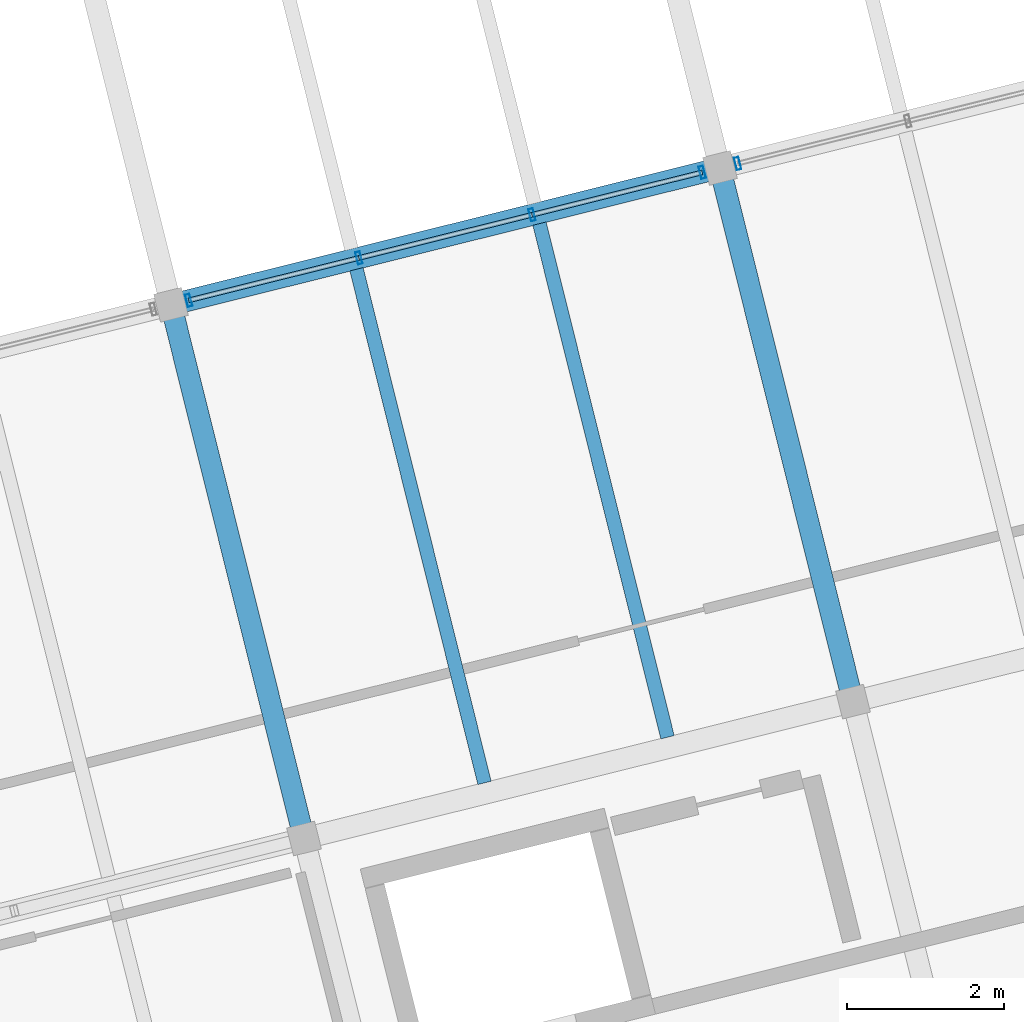
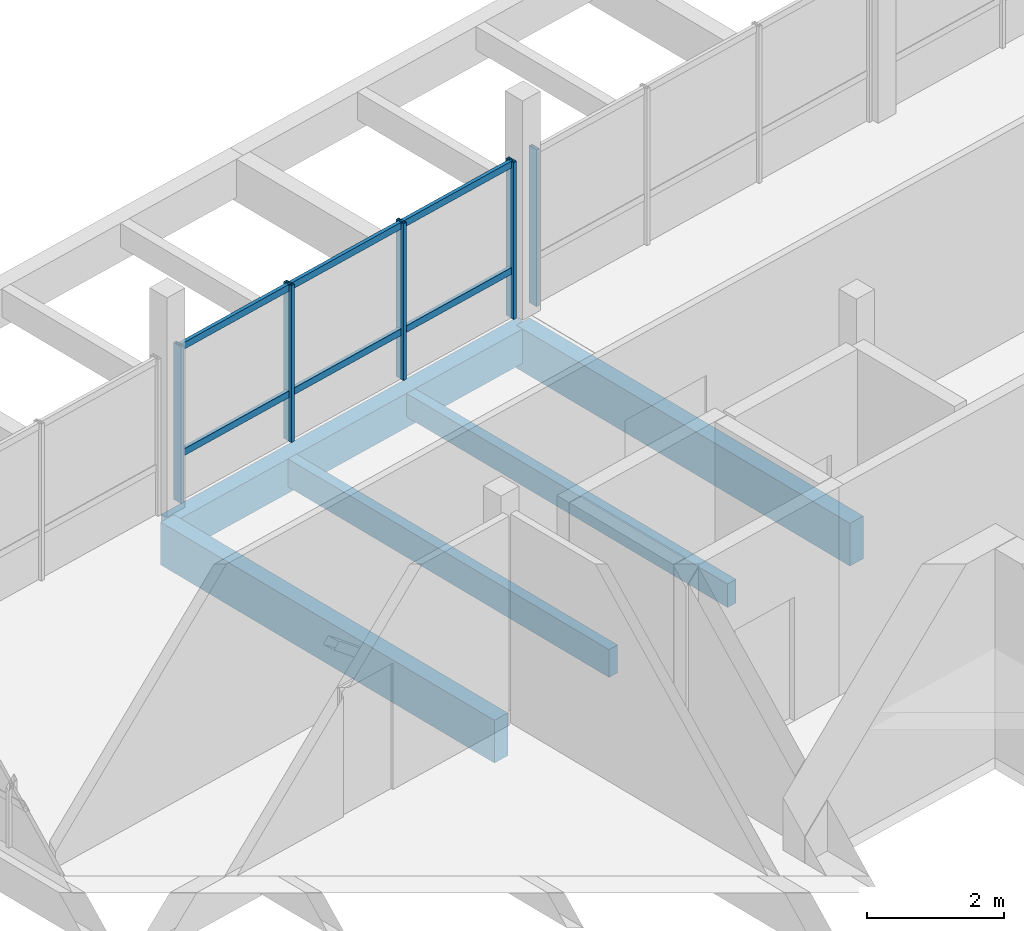
# One storey, part 11 of 28: 11 members, 5 beams, 2 elements without a shape of their own.
"""IFC4 building model written with IfcOpenShell, lengths in metres."""

from ifc_helpers import new_model, si_unit, direction, frame, origin, origin_2d, place, context, subcontext, project, spatial, rectangle, hollow_rectangle, extrude, material, layer, layer_set, material_profile, profile_set, type_object, element, aggregate, save


model = new_model("IFC4")

# Units and contexts
model_context = context("Model", 3, precision=1e-05, world=origin(), true_north=direction((0.0, 1.0)))
body_context = subcontext(model_context, "Body", "Model", "MODEL_VIEW")
ifc_project = project(units=[si_unit("LENGTHUNIT", "METRE"), si_unit("AREAUNIT", "SQUARE_METRE"), si_unit("VOLUMEUNIT", "CUBIC_METRE"), si_unit("PLANEANGLEUNIT", "RADIAN"), si_unit("MASSUNIT", "GRAM", prefix="KILO")], contexts=[model_context])

# Site, building, storey
site_placement = place(None, origin())
site = spatial("IfcSite", under=ifc_project, at=site_placement, CompositionType="ELEMENT")
building_placement = place(site_placement, origin())
building = spatial("IfcBuilding", under=site, at=building_placement, Name="Meriwether Solvik Hall", CompositionType="ELEMENT")
storey_placement = place(building_placement, frame((0.0, 0.0, 45.60009765625)))
storey = spatial("IfcBuildingStorey", under=building, at=storey_placement, Name="L11", CompositionType="ELEMENT", Elevation=45.60009765625)

# Beams
ifc_material_1 = material(Name="Glulam Douglas-Fir 24F-V8 GL28h", Category="wood")
ifc_material_profile_1 = material_profile(ifc_material_1, rectangle(XDim=0.27294921875, YDim=0.610107421875, at=origin_2d()), Name="GLB-273X610")
ifc_profile_set_1 = profile_set([ifc_material_profile_1], Name="Glulam Douglas-Fir 24F-V8 GL28h")
beam_type_1 = type_object("IfcBeamType", Name="BM-GL-273X610", PredefinedType="SPANDREL", material=ifc_profile_set_1)
beam_1_placement = place(storey_placement, frame((69.200439453125, 70.206787109375, -0.505126953125), z_axis=(0.970291911955, 0.241937193493, 0.0), x_axis=(-0.241937193493, 0.970291911955, 0.0)))
element("IfcBeam", 1, at=beam_1_placement, inside=storey, type_object=beam_type_1, Name="Tower Girder TE:T2-T3 (L11)", PredefinedType="SPANDREL", context=body_context, shape_type="SweptSolid", body=[
    extrude(rectangle(XDim=0.27294921875, YDim=0.610107421875, at=origin_2d()), origin(), (0.0, 0.0, 1.0), 7.199951171875),
])
ifc_material_2 = material(Name="Glulam Douglas-Fir 24F-V8 GL28h", Category="wood")
ifc_material_profile_2 = material_profile(ifc_material_2, rectangle(XDim=0.27294921875, YDim=0.760009765625, at=origin_2d()), Name="GLB-273X760")
ifc_profile_set_2 = profile_set([ifc_material_profile_2], Name="Glulam Douglas-Fir 24F-V8 GL28h")
beam_type_2 = type_object("IfcBeamType", Name="BM-GL-273X760", PredefinedType="BEAM", material=ifc_profile_set_2)
for number, where, z_axis, x_axis, name in (
    (2, (70.893798828125, 63.414794921875, -0.580078125), (-0.241911879182, 0.970298223594, 0.0), (-0.970298223594, -0.241911879182, 0.0), "Tower Girder T2:TD-TE (L11)"),
    (3, (77.880126953125, 65.15673828125, -0.580078125), (-0.241944715397, 0.970290036376, 0.0), (-0.970290036376, -0.241944715397, 0.0), "Tower Girder T3:TD-TE (L11)"),
):
    element("IfcBeam", number, at=place(storey_placement, frame(where, z_axis=z_axis, x_axis=x_axis)), inside=storey, type_object=beam_type_2, Name=name, PredefinedType="BEAM", context=body_context, shape_type="SweptSolid", body=[
        extrude(rectangle(XDim=0.27294921875, YDim=0.760009765625, at=origin_2d()), origin(), (0.0, 0.0, 1.0), 7.0),
    ])

# Curtain wall, members
ifc_material_3 = material(Name="Thermally Broken Anodised Aluminium 6063-T6 and Low-E Glass", Category="aluminium")
ifc_layer_1 = layer(ifc_material_3, 0.179931640625)
ifc_layer_set_1 = layer_set([ifc_layer_1], Name="Thermally Broken Anodised Aluminium 6063-T6 and Low-E Glass")
curtain_wall_type_1 = type_object("IfcCurtainWallType", Name="CW-UNIT-E", PredefinedType="USERDEFINED", material=ifc_layer_set_1)
curtain_wall_1_placement = place(storey_placement, origin())
curtain_wall_1 = element("IfcCurtainWall", 4, at=curtain_wall_1_placement, inside=storey, type_object=curtain_wall_type_1, Name="Curtain Wall E2_B1 (L11)", ObjectType="UNITISED CURTAIN WALL", PredefinedType="USERDEFINED")
ifc_material_4 = material(Name="Anodised Aluminium 6063-T6", Category="aluminium")
ifc_material_profile_3 = material_profile(ifc_material_4, hollow_rectangle(XDim=0.06005859375, YDim=0.159912109375, WallThickness=0.00390625, at=origin_2d()), Name="CWM-60X160")
ifc_profile_set_3 = profile_set([ifc_material_profile_3], Name="Anodised Aluminium 6063-T6")
member_type_1 = type_object("IfcMemberType", Name="CW-MUL-60X160", PredefinedType="MULLION", material=ifc_profile_set_3)
member_1_placement = place(storey_placement, frame((69.426025390625, 70.26318359375, 0.0), z_axis=(0.0, 0.0, 1.0), x_axis=(0.970295725693, 0.241921897937, 0.0)))
member_1 = element("IfcMember", 5, at=member_1_placement, type_object=member_type_1, Name="Curtain Wall Mullion 1", PredefinedType="MULLION", context=body_context, shape_type="SweptSolid", body=[
    extrude(hollow_rectangle(XDim=0.06005859375, YDim=0.159912109375, WallThickness=0.00390625, at=origin_2d()), origin(), (0.0, 0.0, 1.0), 2.789794921875),
])
member_2_placement = place(storey_placement, frame((71.592041015625, 70.80322265625, 0.0), z_axis=(0.0, 0.0, 1.0), x_axis=(0.970295725693, 0.241921897937, 0.0)))
member_2 = element("IfcMember", 6, at=member_2_placement, type_object=member_type_1, Name="Curtain Wall Mullion 2", PredefinedType="MULLION", context=body_context, shape_type="SweptSolid", body=[
    extrude(hollow_rectangle(XDim=0.06005859375, YDim=0.159912109375, WallThickness=0.00390625, at=origin_2d()), origin(), (0.0, 0.0, 1.0), 2.789794921875),
])
member_3_placement = place(storey_placement, frame((73.794921875, 71.3525390625, 0.0), z_axis=(0.0, 0.0, 1.0), x_axis=(0.970295725693, 0.241921897937, 0.0)))
member_3 = element("IfcMember", 7, at=member_3_placement, type_object=member_type_1, Name="Curtain Wall Mullion 3", PredefinedType="MULLION", context=body_context, shape_type="SweptSolid", body=[
    extrude(hollow_rectangle(XDim=0.06005859375, YDim=0.159912109375, WallThickness=0.00390625, at=origin_2d()), origin(), (0.0, 0.0, 1.0), 2.789794921875),
])
member_4_placement = place(storey_placement, frame((75.9609375, 71.892578125, 0.0), z_axis=(0.0, 0.0, 1.0), x_axis=(0.970295725693, 0.241921897937, 0.0)))
member_4 = element("IfcMember", 8, at=member_4_placement, type_object=member_type_1, Name="Curtain Wall Mullion 4", PredefinedType="MULLION", context=body_context, shape_type="SweptSolid", body=[
    extrude(hollow_rectangle(XDim=0.06005859375, YDim=0.159912109375, WallThickness=0.00390625, at=origin_2d()), origin(), (0.0, 0.0, 1.0), 2.789794921875),
])

# Curtain wall, member
ifc_material_5 = material(Name="Thermally Broken Anodised Aluminium 6063-T6 and Low-E Glass", Category="aluminium")
ifc_layer_2 = layer(ifc_material_5, 0.179931640625)
ifc_layer_set_2 = layer_set([ifc_layer_2], Name="Thermally Broken Anodised Aluminium 6063-T6 and Low-E Glass")
curtain_wall_type_2 = type_object("IfcCurtainWallType", Name="CW-UNIT-F", PredefinedType="USERDEFINED", material=ifc_layer_set_2)
curtain_wall_2_placement = place(storey_placement, origin())
curtain_wall_2 = element("IfcCurtainWall", 9, at=curtain_wall_2_placement, inside=storey, type_object=curtain_wall_type_2, Name="Curtain Wall E2_B2 (L11)", ObjectType="UNITISED CURTAIN WALL", PredefinedType="USERDEFINED")
member_5_placement = place(storey_placement, frame((76.412109375, 72.0048828125, 0.0), z_axis=(0.0, 0.0, 1.0), x_axis=(0.970295725693, 0.241921897937, 0.0)))
member_5 = element("IfcMember", 10, at=member_5_placement, type_object=member_type_1, Name="Curtain Wall Mullion 1", PredefinedType="MULLION", context=body_context, shape_type="SweptSolid", body=[
    extrude(hollow_rectangle(XDim=0.06005859375, YDim=0.159912109375, WallThickness=0.00390625, at=origin_2d()), origin(), (0.0, 0.0, 1.0), 2.789794921875),
])
aggregate(curtain_wall_2, [member_5])

# Member
ifc_material_6 = material(Name="Anodised Aluminium 6063-T6", Category="aluminium")
ifc_material_profile_4 = material_profile(ifc_material_6, hollow_rectangle(XDim=0.06005859375, YDim=0.1201171875, WallThickness=0.00390625, at=origin_2d()), Name="CWT-60X120")
ifc_profile_set_4 = profile_set([ifc_material_profile_4], Name="Anodised Aluminium 6063-T6")
member_type_2 = type_object("IfcMemberType", Name="CW-TRN-60X120", PredefinedType="USERDEFINED", material=ifc_profile_set_4)
member_6_placement = place(storey_placement, frame((69.426025390625, 70.26318359375, 0.8369140625), z_axis=(0.970296702868, 0.241917978668, 0.0), x_axis=(-0.241917978668, 0.970296702868, 0.0)))
member_6 = element("IfcMember", 11, at=member_6_placement, type_object=member_type_2, Name="Curtain Wall Transom 1-sill", ObjectType="TRANSOM", PredefinedType="USERDEFINED", context=body_context, shape_type="SweptSolid", body=[
    extrude(hollow_rectangle(XDim=0.06005859375, YDim=0.1201171875, WallThickness=0.00390625, at=origin_2d()), origin(), (0.0, 0.0, 1.0), 2.232421875),
])

member_7_placement = place(storey_placement, frame((69.426025390625, 70.26318359375, 2.72998046875), z_axis=(0.970296702868, 0.241917978668, 0.0), x_axis=(-0.241917978668, 0.970296702868, 0.0)))
member_7 = element("IfcMember", 12, at=member_7_placement, type_object=member_type_2, Name="Curtain Wall Transom 1-head", ObjectType="TRANSOM", PredefinedType="USERDEFINED", context=body_context, shape_type="SweptSolid", body=[
    extrude(hollow_rectangle(XDim=0.06005859375, YDim=0.1201171875, WallThickness=0.00390625, at=origin_2d()), origin(), (0.0, 0.0, 1.0), 2.232421875),
])

member_8_placement = place(storey_placement, frame((71.592041015625, 70.80322265625, 0.8369140625), z_axis=(0.970287814054, 0.241953627576, 0.0), x_axis=(-0.241953627576, 0.970287814054, 0.0)))
member_8 = element("IfcMember", 13, at=member_8_placement, type_object=member_type_2, Name="Curtain Wall Transom 2-sill", ObjectType="TRANSOM", PredefinedType="USERDEFINED", context=body_context, shape_type="SweptSolid", body=[
    extrude(hollow_rectangle(XDim=0.06005859375, YDim=0.1201171875, WallThickness=0.00390625, at=origin_2d()), origin(), (0.0, 0.0, 1.0), 2.270263671875),
])

member_9_placement = place(storey_placement, frame((71.592041015625, 70.80322265625, 2.72998046875), z_axis=(0.970287814054, 0.241953627576, 0.0), x_axis=(-0.241953627576, 0.970287814054, 0.0)))
member_9 = element("IfcMember", 14, at=member_9_placement, type_object=member_type_2, Name="Curtain Wall Transom 2-head", ObjectType="TRANSOM", PredefinedType="USERDEFINED", context=body_context, shape_type="SweptSolid", body=[
    extrude(hollow_rectangle(XDim=0.06005859375, YDim=0.1201171875, WallThickness=0.00390625, at=origin_2d()), origin(), (0.0, 0.0, 1.0), 2.270263671875),
])

member_10_placement = place(storey_placement, frame((73.794921875, 71.3525390625, 0.8369140625), z_axis=(0.970296702868, 0.241917978668, 0.0), x_axis=(-0.241917978668, 0.970296702868, 0.0)))
member_10 = element("IfcMember", 15, at=member_10_placement, type_object=member_type_2, Name="Curtain Wall Transom 3-sill", ObjectType="TRANSOM", PredefinedType="USERDEFINED", context=body_context, shape_type="SweptSolid", body=[
    extrude(hollow_rectangle(XDim=0.06005859375, YDim=0.1201171875, WallThickness=0.00390625, at=origin_2d()), origin(), (0.0, 0.0, 1.0), 2.232421875),
])

member_11_placement = place(storey_placement, frame((73.794921875, 71.3525390625, 2.72998046875), z_axis=(0.970296702868, 0.241917978668, 0.0), x_axis=(-0.241917978668, 0.970296702868, 0.0)))
member_11 = element("IfcMember", 16, at=member_11_placement, type_object=member_type_2, Name="Curtain Wall Transom 3-head", ObjectType="TRANSOM", PredefinedType="USERDEFINED", context=body_context, shape_type="SweptSolid", body=[
    extrude(hollow_rectangle(XDim=0.06005859375, YDim=0.1201171875, WallThickness=0.00390625, at=origin_2d()), origin(), (0.0, 0.0, 1.0), 2.232421875),
])

aggregate(curtain_wall_1, [member_1, member_2, member_3, member_4, member_6, member_7, member_8, member_9, member_10, member_11])

# Beams
ifc_material_7 = material(Name="Glulam Douglas-Fir 24F-V8 GL28h", Category="wood")
ifc_material_profile_5 = material_profile(ifc_material_7, rectangle(XDim=0.175048828125, YDim=0.419921875, at=origin_2d()), Name="GLJ-175X420")
ifc_profile_set_5 = profile_set([ifc_material_profile_5], Name="Glulam Douglas-Fir 24F-V8 GL28h")
beam_type_3 = type_object("IfcBeamType", Name="JST-GL-175X420", PredefinedType="JOIST", material=ifc_profile_set_5)
beam_2_placement = place(storey_placement, frame((75.51953125, 64.70361328125, -0.41015625), z_axis=(-0.241930176813, 0.9702936615, 0.0), x_axis=(-0.9702936615, -0.241930176813, 0.0)))
element("IfcBeam", 17, at=beam_2_placement, inside=storey, type_object=beam_type_3, Name="Glulam Floor Joist T2/TD-J2 (L11)", PredefinedType="JOIST", context=body_context, shape_type="SweptSolid", body=[
    extrude(rectangle(XDim=0.175048828125, YDim=0.419921875, at=origin_2d()), origin(), (0.0, 0.0, 1.0), 6.737060546875),
])
ifc_material_8 = material(Name="Glulam Douglas-Fir 24F-V8 GL28h", Category="wood")
ifc_material_profile_6 = material_profile(ifc_material_8, rectangle(XDim=0.175048828125, YDim=0.4951171875, at=origin_2d()), Name="GLJ-175X495")
ifc_profile_set_6 = profile_set([ifc_material_profile_6], Name="Glulam Douglas-Fir 24F-V8 GL28h")
beam_type_4 = type_object("IfcBeamType", Name="JST-GL-175X495", PredefinedType="JOIST", material=ifc_profile_set_6)
beam_3_placement = place(storey_placement, frame((73.190673828125, 64.123046875, -0.447509765625), z_axis=(-0.241896058636, 0.970302167789, 0.0), x_axis=(-0.970302167789, -0.241896058636, 0.0)))
element("IfcBeam", 18, at=beam_3_placement, inside=storey, type_object=beam_type_4, Name="Glulam Floor Joist T2/TD-J1 (L11)", PredefinedType="JOIST", context=body_context, shape_type="SweptSolid", body=[
    extrude(rectangle(XDim=0.175048828125, YDim=0.4951171875, at=origin_2d()), origin(), (0.0, 0.0, 1.0), 6.73681640625),
])

save(model, "model.ifc")
